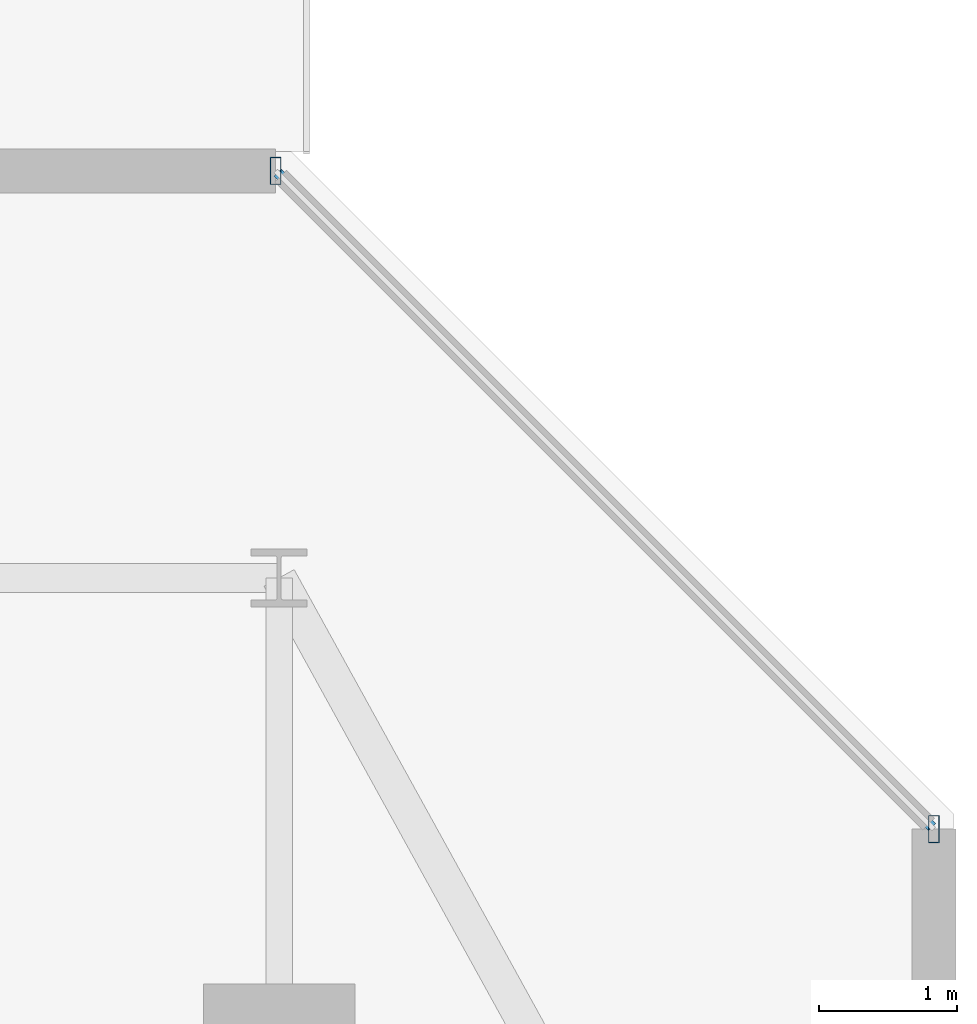
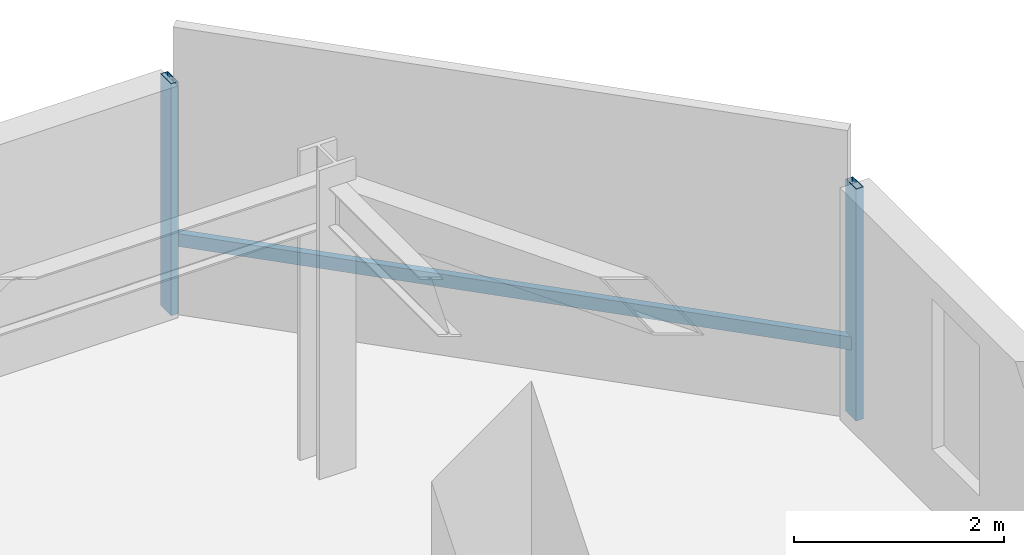
# One storey, part 17 of 33: 3 members, 1 element without a shape of its own.
"""IFC4 building model written with IfcOpenShell, lengths in metres."""

from ifc_helpers import new_model, si_unit, direction, frame, origin, origin_2d, place, context, subcontext, project, spatial, hollow_rectangle, extrude, material, material_profile, profile_set, type_object, element, aggregate, save


model = new_model("IFC4")

# Units and contexts
model_context = context("Model", 3, precision=1e-05, world=origin(), true_north=direction((0.0, 1.0)))
body_context = subcontext(model_context, "Body", "Model", "MODEL_VIEW")
ifc_project = project(units=[si_unit("LENGTHUNIT", "METRE"), si_unit("AREAUNIT", "SQUARE_METRE"), si_unit("VOLUMEUNIT", "CUBIC_METRE"), si_unit("PLANEANGLEUNIT", "RADIAN"), si_unit("MASSUNIT", "GRAM", prefix="KILO")], contexts=[model_context])

# Site, building, storey
site_placement = place(None, origin())
site = spatial("IfcSite", under=ifc_project, at=site_placement, CompositionType="ELEMENT")
building_placement = place(site_placement, origin())
building = spatial("IfcBuilding", under=site, at=building_placement, Name="Thornwick Lancets Civic Towers", CompositionType="ELEMENT")
storey_placement = place(building_placement, frame((0.0, 0.0, 192.89990234375)))
storey = spatial("IfcBuildingStorey", under=building, at=storey_placement, Name="L51", CompositionType="ELEMENT", Elevation=192.89990234375)

# Curtain wall, members
ifc_material_1 = material(Name="Mid-zone chamfered-corner unitised glass curtain wall", Category="glass")
curtain_wall_type = type_object("IfcCurtainWallType", Name="CW_SYS_04", PredefinedType="NOTDEFINED", material=ifc_material_1)
curtain_wall_placement = place(storey_placement, origin())
curtain_wall = element("IfcCurtainWall", 1, at=curtain_wall_placement, inside=storey, type_object=curtain_wall_type, Name="L51 Curtain Wall CW-L51-B-E3", PredefinedType="NOTDEFINED")
ifc_material_2 = material(Name="Thermally broken bronze aluminium S355", Category="steel")
ifc_material_profile_1 = material_profile(ifc_material_2, hollow_rectangle(XDim=0.080078125, YDim=0.199951171875, WallThickness=0.006103515625, at=origin_2d()), Name="RHS 200x80x6")
ifc_profile_set_1 = profile_set([ifc_material_profile_1], Name="Thermally broken bronze aluminium S355")
member_type_1 = type_object("IfcMemberType", Name="CW_MUL_200", PredefinedType="MULLION", material=ifc_profile_set_1)
member_1_placement = place(storey_placement, frame((106.25732421875, 45.97509765625, 0.0), z_axis=(0.0, 0.0, 1.0), x_axis=(1.0, 0.0, 0.0)))
member_1 = element("IfcMember", 2, at=member_1_placement, type_object=member_type_1, Name="CW-L51-B-E3 Mullion 0", PredefinedType="MULLION", context=body_context, shape_type="SweptSolid", body=[
    extrude(hollow_rectangle(XDim=0.080078125, YDim=0.199951171875, WallThickness=0.006103515625, at=origin_2d()), origin(), (0.0, 0.0, 1.0), 2.7001953125),
])
member_2_placement = place(storey_placement, frame((101.47509765625, 50.75732421875, 0.0), z_axis=(0.0, 0.0, 1.0), x_axis=(1.0, 0.0, 0.0)))
member_2 = element("IfcMember", 3, at=member_2_placement, type_object=member_type_1, Name="CW-L51-B-E3 Mullion 1", PredefinedType="MULLION", context=body_context, shape_type="SweptSolid", body=[
    extrude(hollow_rectangle(XDim=0.080078125, YDim=0.199951171875, WallThickness=0.006103515625, at=origin_2d()), origin(), (0.0, 0.0, 1.0), 2.7001953125),
])
ifc_material_profile_2 = material_profile(ifc_material_2, hollow_rectangle(XDim=0.074951171875, YDim=0.14990234375, WallThickness=0.0048828125, at=origin_2d()), Name="RHS 150x75x5")
ifc_profile_set_2 = profile_set([ifc_material_profile_2], Name="Thermally broken bronze aluminium S355")
member_type_2 = type_object("IfcMemberType", Name="CW_TRN_150", PredefinedType="USERDEFINED", material=ifc_profile_set_2)
member_3_placement = place(storey_placement, frame((106.243408203125, 45.9892578125, 0.85009765625), z_axis=(-0.707106781187, 0.707106781187, 0.0), x_axis=(-0.707106781187, -0.707106781187, 0.0)))
member_3 = element("IfcMember", 4, at=member_3_placement, type_object=member_type_2, Name="CW-L51-B-E3 Transom 0", ObjectType="TRANSOM", PredefinedType="USERDEFINED", context=body_context, shape_type="SweptSolid", body=[
    extrude(hollow_rectangle(XDim=0.074951171875, YDim=0.14990234375, WallThickness=0.0048828125, at=origin_2d()), origin(), (0.0, 0.0, 1.0), 6.723388671875),
])
aggregate(curtain_wall, [member_1, member_2, member_3])

save(model, "model.ifc")
